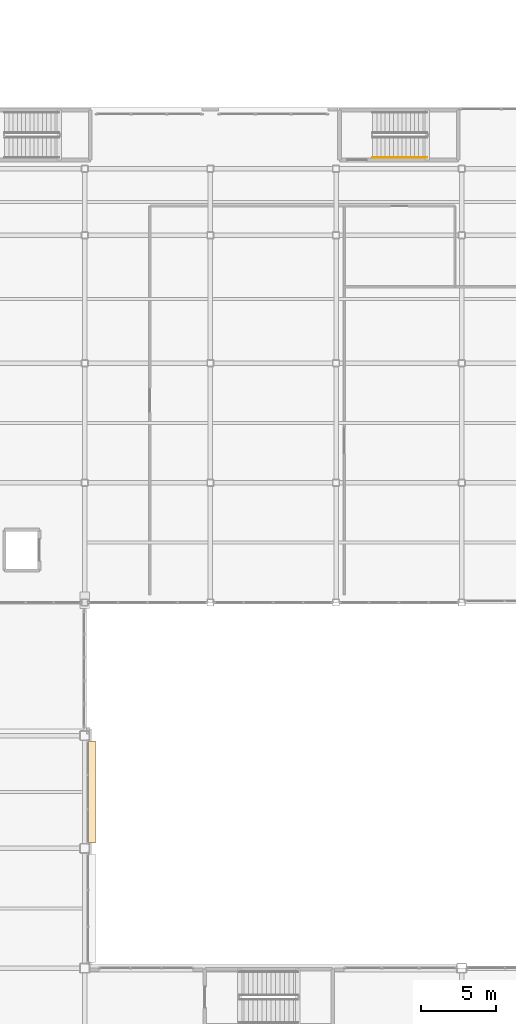
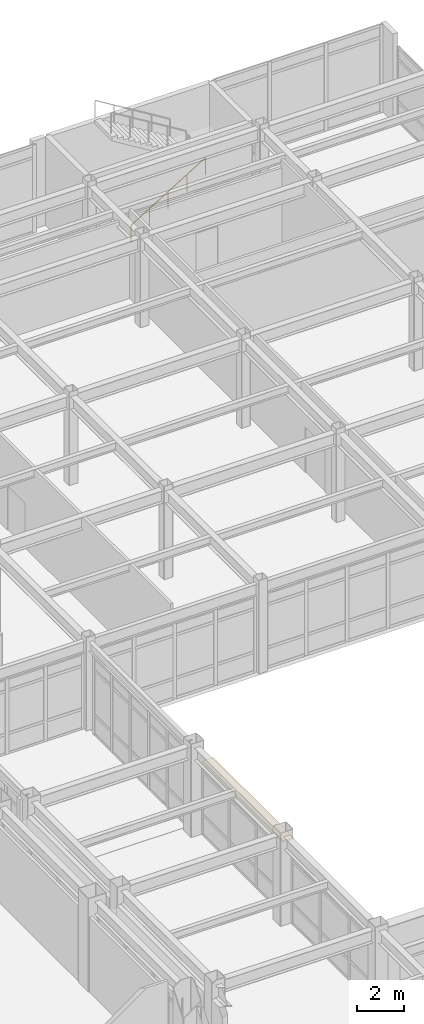
# One storey, part 164 of 172: 1 covering, 1 railing.
"""IFC4 building model written with IfcOpenShell, lengths in metres."""

from ifc_helpers import new_model, si_unit, direction, frame, origin, origin_2d, place, context, subcontext, project, spatial, rectangle, circle, extrude, material, layer, layer_set, type_object, element, save


model = new_model("IFC4")

# Units and contexts
model_context = context("Model", 3, precision=1e-05, world=origin(), true_north=direction((0.0, 1.0)))
body_context = subcontext(model_context, "Body", "Model", "MODEL_VIEW")
ifc_project = project(units=[si_unit("LENGTHUNIT", "METRE"), si_unit("AREAUNIT", "SQUARE_METRE"), si_unit("VOLUMEUNIT", "CUBIC_METRE"), si_unit("PLANEANGLEUNIT", "RADIAN"), si_unit("MASSUNIT", "GRAM", prefix="KILO")], contexts=[model_context])

# Site, building, storey
site_placement = place(None, origin())
site = spatial("IfcSite", under=ifc_project, at=site_placement, CompositionType="ELEMENT")
building_placement = place(site_placement, origin())
building = spatial("IfcBuilding", under=site, at=building_placement, Name="Kazehara Bluff Congress Hotel", CompositionType="ELEMENT")
storey_placement = place(building_placement, frame((0.0, 0.0, 5.39990234375)))
storey = spatial("IfcBuildingStorey", under=building, at=storey_placement, Name="L01", CompositionType="ELEMENT", Elevation=5.39990234375)

# Covering
ifc_material_1 = material(Name="Anodised aluminium architectural brise-soleil", Category="aluminium")
ifc_layer = layer(ifc_material_1, 0.10009765625)
ifc_layer_set = layer_set([ifc_layer], Name="Anodised aluminium architectural brise-soleil")
covering_type = type_object("IfcCoveringType", Name="TP-FAC-FIN", PredefinedType="CLADDING", material=ifc_layer_set)
covering_placement = place(storey_placement, frame((68.1201171875, 68.22509765625, 3.705078125), z_axis=(0.0, 0.0, 1.0), x_axis=(1.0, 0.0, 0.0)))
element("IfcCovering", 1, at=covering_placement, inside=storey, type_object=covering_type, Name="L01 V4 architectural sun-hood 46", PredefinedType="CLADDING", context=body_context, shape_type="SweptSolid", body=[
    extrude(rectangle(XDim=0.52001953125, YDim=6.800048828125, at=origin_2d()), origin(), (0.0, 0.0, 1.0), 0.10009765625),
])

# Railing
ifc_material_2 = material(Name="Brushed stainless steel", Category="steel")
railing_type = type_object("IfcRailingType", Name="TP-HR-INT", PredefinedType="HANDRAIL", material=ifc_material_2)
railing_placement = place(storey_placement, frame((86.89990234375, 110.64990234375, 0.171630859375)))
element("IfcRailing", 2, at=railing_placement, inside=storey, type_object=railing_type, Name="L01 ST-07 stair handrail 1", PredefinedType="HANDRAIL", context=body_context, shape_type="SweptSolid", body=[
    extrude(circle(Radius=0.02392578125, at=origin_2d()), frame((0.0, 0.0, 0.8759765625), z_axis=(0.852865859571, 0.0, 0.52213008492), x_axis=(0.0, 1.0, 0.0)), (0.0, 0.0, 1.0), 4.26806640625),
    extrude(circle(Radius=0.02099609375, at=origin_2d()), origin(), (0.0, 0.0, 1.0), 0.851806640625),
    extrude(circle(Radius=0.02099609375, at=origin_2d()), frame((0.91015625, 0.0, 0.55712890625)), (0.0, 0.0, 1.0), 0.851806640625),
    extrude(circle(Radius=0.02099609375, at=origin_2d()), frame((1.820068359375, 0.0, 1.1142578125)), (0.0, 0.0, 1.0), 0.851806640625),
    extrude(circle(Radius=0.02099609375, at=origin_2d()), frame((2.72998046875, 0.0, 1.67138671875)), (0.0, 0.0, 1.0), 0.851806640625),
    extrude(circle(Radius=0.02099609375, at=origin_2d()), frame((3.64013671875, 0.0, 2.228515625)), (0.0, 0.0, 1.0), 0.851806640625),
])

save(model, "model.ifc")
